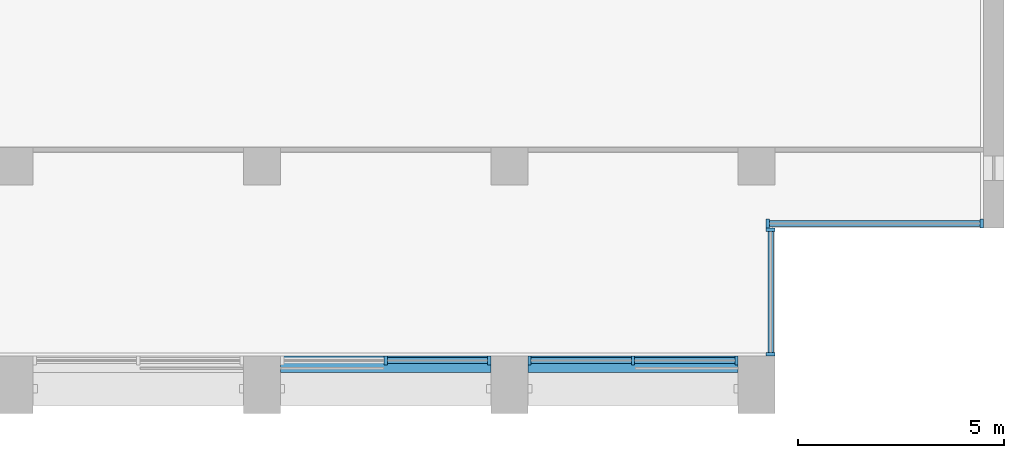
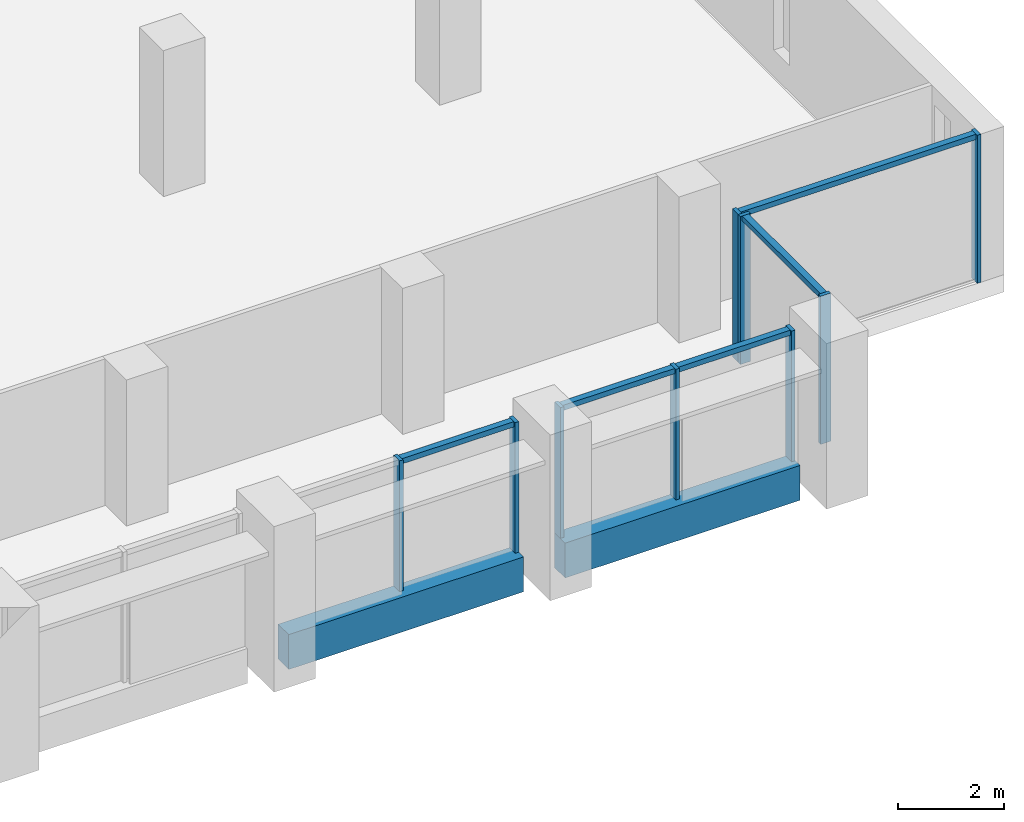
# One storey, part 3 of 14: 14 members, 2 beams, 4 elements without a shape of their own.
"""IFC4 building model written with IfcOpenShell, lengths in metres."""

from ifc_helpers import new_model, si_unit, direction, frame, origin, origin_2d, place, context, subcontext, project, spatial, rectangle, extrude, material, material_profile, profile_set, type_object, element, aggregate, save


model = new_model("IFC4")

# Units and contexts
model_context = context("Model", 3, precision=1e-05, world=origin(), true_north=direction((0.0, 1.0)))
body_context = subcontext(model_context, "Body", "Model", "MODEL_VIEW")
ifc_project = project(units=[si_unit("LENGTHUNIT", "METRE"), si_unit("AREAUNIT", "SQUARE_METRE"), si_unit("VOLUMEUNIT", "CUBIC_METRE"), si_unit("PLANEANGLEUNIT", "RADIAN"), si_unit("MASSUNIT", "GRAM", prefix="KILO")], contexts=[model_context])

# Site, building, storey
site_placement = place(None, origin())
site = spatial("IfcSite", under=ifc_project, at=site_placement, CompositionType="ELEMENT")
building_placement = place(site_placement, origin())
building = spatial("IfcBuilding", under=site, at=building_placement, Name="Calvaro Tower", CompositionType="ELEMENT")
storey_placement = place(building_placement, frame((0.0, 0.0, 239.35009765625)))
storey = spatial("IfcBuildingStorey", under=building, at=storey_placement, Name="L60", CompositionType="ELEMENT", Elevation=239.35009765625)

# Curtain wall, members
ifc_material_1 = material(Name="Anodised aluminium", Category="aluminium")
curtain_wall_type = type_object("IfcCurtainWallType", Name="Executive curtain wall", PredefinedType="NOTDEFINED", material=ifc_material_1)
curtain_wall_1_placement = place(storey_placement, origin())
curtain_wall_1 = element("IfcCurtainWall", 1, at=curtain_wall_1_placement, inside=storey, type_object=curtain_wall_type, Name="CW4 south curtain wall", PredefinedType="NOTDEFINED")
ifc_material_2 = material(Name="Anodised aluminium", Category="aluminium")
ifc_material_profile_1 = material_profile(ifc_material_2, rectangle(XDim=0.219970703125, YDim=0.080078125, at=origin_2d()), Name="Mullion S4 80 x 220")
ifc_profile_set_1 = profile_set([ifc_material_profile_1], Name="Anodised aluminium")
member_type_1 = type_object("IfcMemberType", Name="Mullion S4 80 x 220", PredefinedType="MULLION", material=ifc_profile_set_1)
member_1_placement = place(storey_placement, frame((51.0, 5.2900390625, 0.0), z_axis=(0.0, 0.0, 1.0), x_axis=(0.0, 1.0, 0.0)))
member_1 = element("IfcMember", 2, at=member_1_placement, type_object=member_type_1, Name="CW4 mullion 2", PredefinedType="MULLION", context=body_context, shape_type="SweptSolid", body=[
    extrude(rectangle(XDim=0.219970703125, YDim=0.080078125, at=origin_2d()), origin(), (0.0, 0.0, 1.0), 3.0),
])
member_2_placement = place(storey_placement, frame((53.510009765625, 5.2900390625, 0.0), z_axis=(0.0, 0.0, 1.0), x_axis=(0.0, 1.0, 0.0)))
member_2 = element("IfcMember", 3, at=member_2_placement, type_object=member_type_1, Name="CW4 mullion 3", PredefinedType="MULLION", context=body_context, shape_type="SweptSolid", body=[
    extrude(rectangle(XDim=0.219970703125, YDim=0.080078125, at=origin_2d()), origin(), (0.0, 0.0, 1.0), 3.0),
])

curtain_wall_2_placement = place(storey_placement, origin())
curtain_wall_2 = element("IfcCurtainWall", 4, at=curtain_wall_2_placement, inside=storey, type_object=curtain_wall_type, Name="CW4 south curtain wall", PredefinedType="NOTDEFINED")
member_3_placement = place(storey_placement, frame((54.489990234375, 5.2900390625, 0.0), z_axis=(0.0, 0.0, 1.0), x_axis=(0.0, 1.0, 0.0)))
member_3 = element("IfcMember", 5, at=member_3_placement, type_object=member_type_1, Name="CW4 mullion 1", PredefinedType="MULLION", context=body_context, shape_type="SweptSolid", body=[
    extrude(rectangle(XDim=0.219970703125, YDim=0.080078125, at=origin_2d()), origin(), (0.0, 0.0, 1.0), 3.0),
])
member_4_placement = place(storey_placement, frame((57.0, 5.2900390625, 0.0), z_axis=(0.0, 0.0, 1.0), x_axis=(0.0, 1.0, 0.0)))
member_4 = element("IfcMember", 6, at=member_4_placement, type_object=member_type_1, Name="CW4 mullion 2", PredefinedType="MULLION", context=body_context, shape_type="SweptSolid", body=[
    extrude(rectangle(XDim=0.219970703125, YDim=0.080078125, at=origin_2d()), origin(), (0.0, 0.0, 1.0), 3.0),
])
member_5_placement = place(storey_placement, frame((59.510009765625, 5.2900390625, 0.0), z_axis=(0.0, 0.0, 1.0), x_axis=(0.0, 1.0, 0.0)))
member_5 = element("IfcMember", 7, at=member_5_placement, type_object=member_type_1, Name="CW4 mullion 3", PredefinedType="MULLION", context=body_context, shape_type="SweptSolid", body=[
    extrude(rectangle(XDim=0.219970703125, YDim=0.080078125, at=origin_2d()), origin(), (0.0, 0.0, 1.0), 3.0),
])

curtain_wall_3_placement = place(storey_placement, origin())
curtain_wall_3 = element("IfcCurtainWall", 8, at=curtain_wall_3_placement, inside=storey, type_object=curtain_wall_type, Name="CW4 corner curtain wall", PredefinedType="NOTDEFINED")
member_6_placement = place(storey_placement, frame((60.340087890625, 5.43994140625, 0.0), z_axis=(0.0, 0.0, 1.0), x_axis=(-1.0, 0.0, 0.0)))
member_6 = element("IfcMember", 9, at=member_6_placement, type_object=member_type_1, Name="CW4 mullion 1", PredefinedType="MULLION", context=body_context, shape_type="SweptSolid", body=[
    extrude(rectangle(XDim=0.219970703125, YDim=0.080078125, at=origin_2d()), origin(), (0.0, 0.0, 1.0), 3.39990234375),
])
member_7_placement = place(storey_placement, frame((60.340087890625, 8.4599609375, 0.0), z_axis=(0.0, 0.0, 1.0), x_axis=(-1.0, 0.0, 0.0)))
member_7 = element("IfcMember", 10, at=member_7_placement, type_object=member_type_1, Name="CW4 mullion 2", PredefinedType="MULLION", context=body_context, shape_type="SweptSolid", body=[
    extrude(rectangle(XDim=0.219970703125, YDim=0.080078125, at=origin_2d()), origin(), (0.0, 0.0, 1.0), 3.39990234375),
])

curtain_wall_4_placement = place(storey_placement, origin())
curtain_wall_4 = element("IfcCurtainWall", 11, at=curtain_wall_4_placement, inside=storey, type_object=curtain_wall_type, Name="CW4 corner curtain wall", PredefinedType="NOTDEFINED")
member_8_placement = place(storey_placement, frame((60.27001953125, 8.610107421875, 0.0), z_axis=(0.0, 0.0, 1.0), x_axis=(0.0, 1.0, 0.0)))
member_8 = element("IfcMember", 12, at=member_8_placement, type_object=member_type_1, Name="CW4 mullion 1", PredefinedType="MULLION", context=body_context, shape_type="SweptSolid", body=[
    extrude(rectangle(XDim=0.219970703125, YDim=0.080078125, at=origin_2d()), origin(), (0.0, 0.0, 1.0), 3.39990234375),
])
member_9_placement = place(storey_placement, frame((65.4599609375, 8.610107421875, 0.0), z_axis=(0.0, 0.0, 1.0), x_axis=(0.0, 1.0, 0.0)))
member_9 = element("IfcMember", 13, at=member_9_placement, type_object=member_type_1, Name="CW4 mullion 2", PredefinedType="MULLION", context=body_context, shape_type="SweptSolid", body=[
    extrude(rectangle(XDim=0.219970703125, YDim=0.080078125, at=origin_2d()), origin(), (0.0, 0.0, 1.0), 3.39990234375),
])

# Beams
ifc_material_3 = material(Name="Concrete C50/60 precast", Category="concrete")
ifc_material_profile_2 = material_profile(ifc_material_3, rectangle(XDim=0.39990234375, YDim=0.800048828125, at=origin_2d()), Name="RC 400x800")
ifc_profile_set_2 = profile_set([ifc_material_profile_2], Name="Concrete C50/60 precast")
beam_type = type_object("IfcBeamType", Name="Spandrel beam 400x800 C50/60", PredefinedType="SPANDREL", material=ifc_profile_set_2)
for number, where, z_axis, x_axis, name in (
    (14, (48.449951171875, 5.199951171875, -0.400146484375), (1.0, 0.0, 0.0), (0.0, 1.0, 0.0), "Spandrel beam"),
    (15, (54.449951171875, 5.199951171875, -0.400146484375), (1.0, 0.0, 0.0), (0.0, 1.0, 0.0), "Spandrel beam"),
):
    element("IfcBeam", number, at=place(storey_placement, frame(where, z_axis=z_axis, x_axis=x_axis)), inside=storey, type_object=beam_type, Name=name, PredefinedType="SPANDREL", context=body_context, shape_type="SweptSolid", body=[
        extrude(rectangle(XDim=0.39990234375, YDim=0.800048828125, at=origin_2d()), origin(), (0.0, 0.0, 1.0), 5.10009765625),
    ])

# Member
ifc_material_4 = material(Name="Anodised aluminium", Category="aluminium")
ifc_material_profile_3 = material_profile(ifc_material_4, rectangle(XDim=0.139892578125, YDim=0.1201171875, at=origin_2d()), Name="Transom S4 120 x 140")
ifc_profile_set_3 = profile_set([ifc_material_profile_3], Name="Anodised aluminium")
member_type_2 = type_object("IfcMemberType", Name="Transom S4 120 x 140", PredefinedType="USERDEFINED", material=ifc_profile_set_3)
member_10_placement = place(storey_placement, frame((51.0400390625, 5.2900390625, 2.93994140625), z_axis=(1.0, 0.0, 0.0), x_axis=(0.0, 1.0, 0.0)))
member_10 = element("IfcMember", 16, at=member_10_placement, type_object=member_type_2, Name="CW4 transom 2.1", ObjectType="TRANSOM", PredefinedType="USERDEFINED", context=body_context, shape_type="SweptSolid", body=[
    extrude(rectangle(XDim=0.139892578125, YDim=0.1201171875, at=origin_2d()), origin(), (0.0, 0.0, 1.0), 2.429931640625),
])

aggregate(curtain_wall_1, [member_1, member_2, member_10])

member_11_placement = place(storey_placement, frame((54.530029296875, 5.2900390625, 2.93994140625), z_axis=(1.0, 0.0, 0.0), x_axis=(0.0, 1.0, 0.0)))
member_11 = element("IfcMember", 17, at=member_11_placement, type_object=member_type_2, Name="CW4 transom 1.1", ObjectType="TRANSOM", PredefinedType="USERDEFINED", context=body_context, shape_type="SweptSolid", body=[
    extrude(rectangle(XDim=0.139892578125, YDim=0.1201171875, at=origin_2d()), origin(), (0.0, 0.0, 1.0), 2.429931640625),
])

member_12_placement = place(storey_placement, frame((57.0400390625, 5.2900390625, 2.93994140625), z_axis=(1.0, 0.0, 0.0), x_axis=(0.0, 1.0, 0.0)))
member_12 = element("IfcMember", 18, at=member_12_placement, type_object=member_type_2, Name="CW4 transom 2.1", ObjectType="TRANSOM", PredefinedType="USERDEFINED", context=body_context, shape_type="SweptSolid", body=[
    extrude(rectangle(XDim=0.139892578125, YDim=0.1201171875, at=origin_2d()), origin(), (0.0, 0.0, 1.0), 2.429931640625),
])

aggregate(curtain_wall_2, [member_3, member_4, member_5, member_11, member_12])

member_13_placement = place(storey_placement, frame((60.340087890625, 5.47998046875, 3.33984375), z_axis=(0.0, 1.0, 0.0), x_axis=(-1.0, 0.0, 0.0)))
member_13 = element("IfcMember", 19, at=member_13_placement, type_object=member_type_2, Name="CW4 transom 1.1", ObjectType="TRANSOM", PredefinedType="USERDEFINED", context=body_context, shape_type="SweptSolid", body=[
    extrude(rectangle(XDim=0.139892578125, YDim=0.1201171875, at=origin_2d()), origin(), (0.0, 0.0, 1.0), 2.93994140625),
])

aggregate(curtain_wall_3, [member_6, member_7, member_13])

member_14_placement = place(storey_placement, frame((60.31005859375, 8.610107421875, 3.33984375), z_axis=(1.0, 0.0, 0.0), x_axis=(0.0, 1.0, 0.0)))
member_14 = element("IfcMember", 20, at=member_14_placement, type_object=member_type_2, Name="CW4 transom 1.1", ObjectType="TRANSOM", PredefinedType="USERDEFINED", context=body_context, shape_type="SweptSolid", body=[
    extrude(rectangle(XDim=0.139892578125, YDim=0.1201171875, at=origin_2d()), origin(), (0.0, 0.0, 1.0), 5.10986328125),
])

aggregate(curtain_wall_4, [member_8, member_9, member_14])

save(model, "model.ifc")
